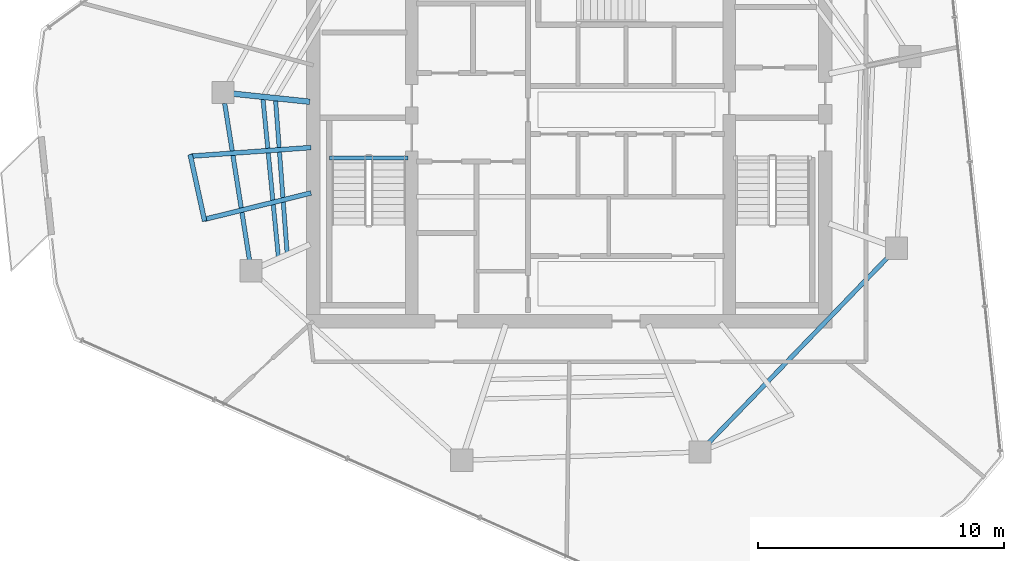
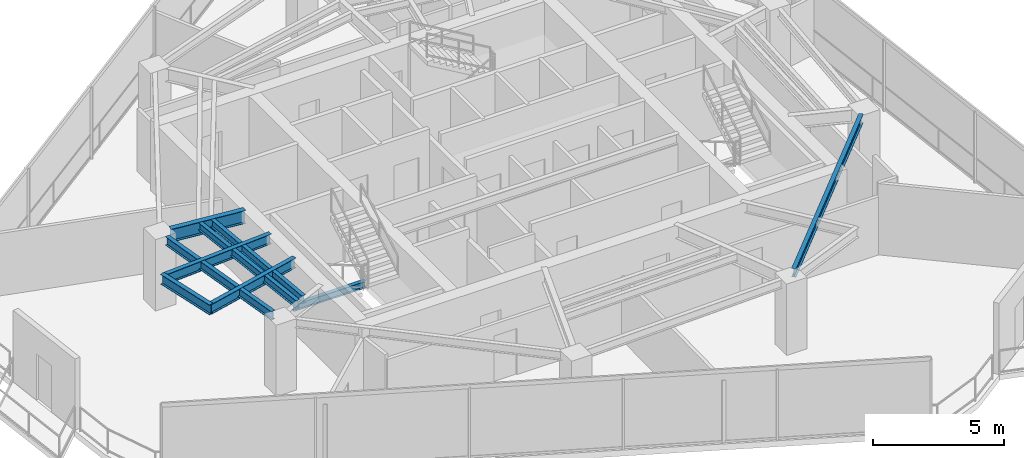
# One storey, part 6 of 20: 9 beams.
"""IFC4 building model written with IfcOpenShell, lengths in metres."""

from ifc_helpers import new_model, si_unit, direction, frame, origin, origin_2d, place, context, subcontext, project, spatial, i_section, extrude, material, material_profile, profile_set, type_object, element, save


model = new_model("IFC4")

# Units and contexts
model_context = context("Model", 3, precision=1e-05, world=origin(), true_north=direction((0.0, 1.0)))
body_context = subcontext(model_context, "Body", "Model", "MODEL_VIEW")
ifc_project = project(units=[si_unit("LENGTHUNIT", "METRE"), si_unit("AREAUNIT", "SQUARE_METRE"), si_unit("VOLUMEUNIT", "CUBIC_METRE"), si_unit("PLANEANGLEUNIT", "RADIAN"), si_unit("MASSUNIT", "GRAM", prefix="KILO")], contexts=[model_context])

# Site, building, storey
site_placement = place(None, origin())
site = spatial("IfcSite", under=ifc_project, at=site_placement, CompositionType="ELEMENT")
building_placement = place(site_placement, origin())
building = spatial("IfcBuilding", under=site, at=building_placement, Name="Qarnah Convention Tower", CompositionType="ELEMENT")
storey_placement = place(building_placement, frame((0.0, 0.0, 202.199951171875)))
storey = spatial("IfcBuildingStorey", under=building, at=storey_placement, Name="L54", CompositionType="ELEMENT", Elevation=202.199951171875)

# Beams
ifc_material = material(Name="Structural steel S355JR", Category="steel")
ifc_material_profile_1 = material_profile(ifc_material, i_section(OverallWidth=0.19189453125, OverallDepth=0.464111328125, WebThickness=0.010986328125, FlangeThickness=0.01806640625, at=origin_2d()), Name="W460X89")
ifc_profile_set_1 = profile_set([ifc_material_profile_1], Name="Structural steel S355JR")
beam_type_1 = type_object("IfcBeamType", Name="BM-CANT-W460A", PredefinedType="BEAM", material=ifc_profile_set_1)
beam_1_placement = place(storey_placement, frame((26.699951171875, 25.64794921875, 3.088134765625), z_axis=(-0.997436151804, -0.071562022574, 0.0), x_axis=(0.071562022574, -0.997436151804, 0.0)))
element("IfcBeam", 1, at=beam_1_placement, inside=storey, type_object=beam_type_1, Name="L54 beam BM-L54-CNT-02-1", PredefinedType="BEAM", context=body_context, shape_type="SweptSolid", body=[
    extrude(i_section(OverallWidth=0.19189453125, OverallDepth=0.464111328125, WebThickness=0.010986328125, FlangeThickness=0.01806640625, at=origin_2d()), origin(), (0.0, 0.0, 1.0), 4.90234375),
])
beam_2_placement = place(storey_placement, frame((26.702880859375, 23.802001953125, 3.088134765625), z_axis=(-0.970718465503, -0.240220025669, 0.0), x_axis=(0.240220025669, -0.970718465503, 0.0)))
element("IfcBeam", 2, at=beam_2_placement, inside=storey, type_object=beam_type_1, Name="L54 beam BM-L54-CNT-02-2", PredefinedType="BEAM", context=body_context, shape_type="SweptSolid", body=[
    extrude(i_section(OverallWidth=0.19189453125, OverallDepth=0.464111328125, WebThickness=0.010986328125, FlangeThickness=0.01806640625, at=origin_2d()), origin(), (0.0, 0.0, 1.0), 4.466796875),
])
beam_3_placement = place(storey_placement, frame((21.794921875, 25.364990234375, 3.088134765625), z_axis=(0.212191546233, -0.977228094002, 0.0), x_axis=(0.977228094002, 0.212191546233, 0.0)))
element("IfcBeam", 3, at=beam_3_placement, inside=storey, type_object=beam_type_1, Name="L54 spandrel BM-L54-CTIE-02", PredefinedType="SPANDREL", context=body_context, shape_type="SweptSolid", body=[
    extrude(i_section(OverallWidth=0.19189453125, OverallDepth=0.464111328125, WebThickness=0.010986328125, FlangeThickness=0.01806640625, at=origin_2d()), origin(), (0.0, 0.0, 1.0), 2.76708984375),
])
ifc_material_profile_2 = material_profile(ifc_material, i_section(OverallWidth=0.166015625, OverallDepth=0.31201171875, WebThickness=0.007080078125, FlangeThickness=0.010986328125, at=origin_2d()), Name="W310X45")
ifc_profile_set_2 = profile_set([ifc_material_profile_2], Name="Structural steel S355JR")
beam_type_2 = type_object("IfcBeamType", Name="BM-JST-W310", PredefinedType="JOIST", material=ifc_profile_set_2)
beam_4_placement = place(storey_placement, frame((27.4599609375, 25.217041015625, -0.156005859375), z_axis=(1.0, 0.0, 0.0), x_axis=(0.0, 1.0, 0.0)))
element("IfcBeam", 4, at=beam_4_placement, inside=storey, type_object=beam_type_2, Name="L54 stair landing trimmer beam BM-L54-ST1-TRM", PredefinedType="BEAM", context=body_context, shape_type="SweptSolid", body=[
    extrude(i_section(OverallWidth=0.166015625, OverallDepth=0.31201171875, WebThickness=0.007080078125, FlangeThickness=0.010986328125, at=origin_2d()), origin(), (0.0, 0.0, 1.0), 3.179931640625),
])
ifc_material_profile_3 = material_profile(ifc_material, i_section(OverallWidth=0.172119140625, OverallDepth=0.35595703125, WebThickness=0.007080078125, FlangeThickness=0.011962890625, at=origin_2d()), Name="W360X51")
ifc_profile_set_3 = profile_set([ifc_material_profile_3], Name="Structural steel S355JR")
beam_type_3 = type_object("IfcBeamType", Name="BM-JST-W360", PredefinedType="JOIST", material=ifc_profile_set_3)
beam_5_placement = place(storey_placement, frame((24.7529296875, 27.618896484375, 3.14208984375), z_axis=(0.097059533416, -0.995278577572, 0.0), x_axis=(0.995278577572, 0.097059533416, 0.0)))
element("IfcBeam", 5, at=beam_5_placement, inside=storey, type_object=beam_type_3, Name="L54 joist BM-L54-SJST-05", PredefinedType="JOIST", context=body_context, shape_type="SweptSolid", body=[
    extrude(i_section(OverallWidth=0.172119140625, OverallDepth=0.35595703125, WebThickness=0.007080078125, FlangeThickness=0.011962890625, at=origin_2d()), origin(), (0.0, 0.0, 1.0), 6.419189453125),
])
beam_6_placement = place(storey_placement, frame((25.264892578125, 27.56494140625, 3.14208984375), z_axis=(0.075394458527, -0.997153787348, 0.0), x_axis=(0.997153787348, 0.075394458527, 0.0)))
element("IfcBeam", 6, at=beam_6_placement, inside=storey, type_object=beam_type_3, Name="L54 joist BM-L54-IJST-05", PredefinedType="JOIST", context=body_context, shape_type="SweptSolid", body=[
    extrude(i_section(OverallWidth=0.172119140625, OverallDepth=0.35595703125, WebThickness=0.007080078125, FlangeThickness=0.011962890625, at=origin_2d()), origin(), (0.0, 0.0, 1.0), 6.194580078125),
])
ifc_material_profile_4 = material_profile(ifc_material, i_section(OverallWidth=0.22802734375, OverallDepth=0.60791015625, WebThickness=0.010986328125, FlangeThickness=0.01708984375, at=origin_2d()), Name="W610X113")
ifc_profile_set_4 = profile_set([ifc_material_profile_4], Name="Structural steel S355JR")
beam_type_4 = type_object("IfcBeamType", Name="BM-RAD-W610B", PredefinedType="BEAM", material=ifc_profile_set_4)
beam_7_placement = place(storey_placement, frame((26.65087890625, 27.509033203125, 3.01611328125), z_axis=(-0.99453335923, 0.104419334317, 0.0), x_axis=(-0.104419334317, -0.99453335923, 0.0)))
element("IfcBeam", 7, at=beam_7_placement, inside=storey, type_object=beam_type_4, Name="L54 beam BM-L54-RAD-05", PredefinedType="BEAM", context=body_context, shape_type="SweptSolid", body=[
    extrude(i_section(OverallWidth=0.22802734375, OverallDepth=0.60791015625, WebThickness=0.010986328125, FlangeThickness=0.01708984375, at=origin_2d()), origin(), (0.0, 0.0, 1.0), 3.112060546875),
])
ifc_material_profile_5 = material_profile(ifc_material, i_section(OverallWidth=0.179931640625, OverallDepth=0.39990234375, WebThickness=0.009033203125, FlangeThickness=0.013916015625, at=origin_2d()), Name="IPE400")
ifc_profile_set_5 = profile_set([ifc_material_profile_5], Name="Structural steel S355JR")
beam_type_5 = type_object("IfcBeamType", Name="BM-SPN-IPE400", PredefinedType="SPANDREL", material=ifc_profile_set_5)
beam_8_placement = place(storey_placement, frame((23.197021484375, 27.444091796875, 3.1201171875), z_axis=(0.156301127146, -0.987709450017, 0.0), x_axis=(0.987709450017, 0.156301127146, 0.0)))
element("IfcBeam", 8, at=beam_8_placement, inside=storey, type_object=beam_type_5, Name="L54 spandrel BM-L54-SPN-05", PredefinedType="SPANDREL", context=body_context, shape_type="SweptSolid", body=[
    extrude(i_section(OverallWidth=0.179931640625, OverallDepth=0.39990234375, WebThickness=0.009033203125, FlangeThickness=0.013916015625, at=origin_2d()), origin(), (0.0, 0.0, 1.0), 6.443115234375),
])
beam_9_placement = place(storey_placement, frame((42.806884765625, 13.596923828125, 3.1201171875), z_axis=(0.694676898282, 0.719321907767, 0.0), x_axis=(-0.719321907767, 0.694676898282, 0.0)))
element("IfcBeam", 9, at=beam_9_placement, inside=storey, type_object=beam_type_5, Name="L54 spandrel BM-L54-SPN-08", PredefinedType="SPANDREL", context=body_context, shape_type="SweptSolid", body=[
    extrude(i_section(OverallWidth=0.179931640625, OverallDepth=0.39990234375, WebThickness=0.009033203125, FlangeThickness=0.013916015625, at=origin_2d()), origin(), (0.0, 0.0, 1.0), 10.62939453125),
])

save(model, "model.ifc")
